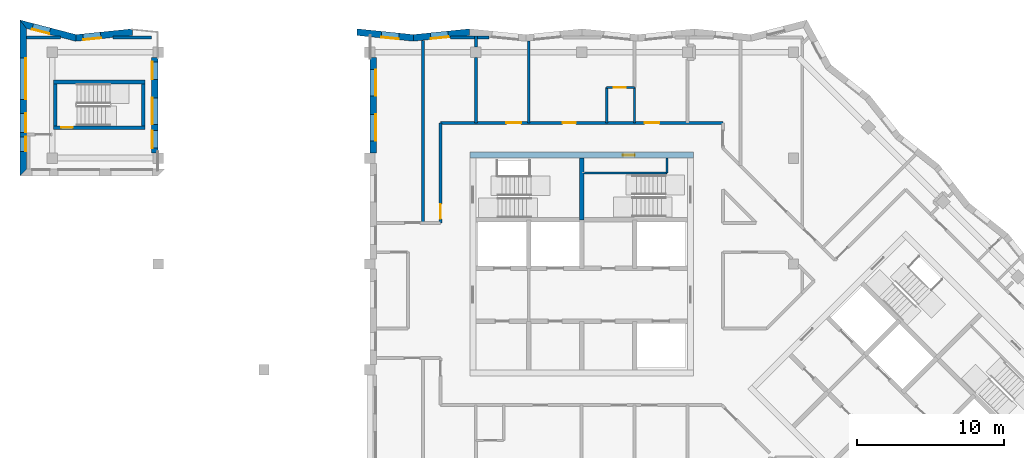
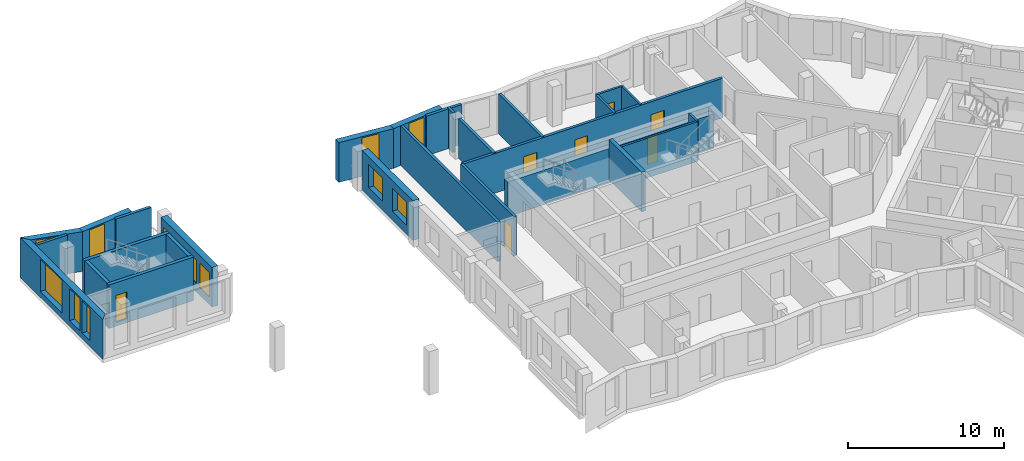
# One storey, part 5 of 12: 27 walls, 12 windows, 7 doors, 19 openings.
"""IFC4 building model written with IfcOpenShell, lengths in metres."""

from ifc_helpers import new_model, si_unit, direction, frame, frame_2d, origin, place, context, subcontext, project, spatial, polyline, rectangle, outline, extrude, material, layer, layer_set, type_object, element, fill, save


model = new_model("IFC4")

# Units and contexts
model_context = context("Model", 3, precision=1e-05, world=origin(), true_north=direction((0.0, 1.0)))
body_context = subcontext(model_context, "Body", "Model", "MODEL_VIEW")
ifc_project = project(units=[si_unit("LENGTHUNIT", "METRE"), si_unit("AREAUNIT", "SQUARE_METRE"), si_unit("VOLUMEUNIT", "CUBIC_METRE"), si_unit("PLANEANGLEUNIT", "RADIAN"), si_unit("MASSUNIT", "GRAM", prefix="KILO")], contexts=[model_context])

# Site, building, storey
site_placement = place(None, origin())
site = spatial("IfcSite", under=ifc_project, at=site_placement, CompositionType="ELEMENT")
building_placement = place(site_placement, origin())
building = spatial("IfcBuilding", under=site, at=building_placement, Name="Windrow Commons", CompositionType="ELEMENT")
storey_placement = place(building_placement, frame((0.0, 0.0, 254.0)))
storey = spatial("IfcBuildingStorey", under=building, at=storey_placement, Name="L69", CompositionType="ELEMENT", Elevation=254.0)

# Wall, opening, window
ifc_material_1 = material(Name="Brick masonry, red clay brick", Category="masonry")
ifc_layer_1 = layer(ifc_material_1, 0.45)
ifc_layer_set_1 = layer_set([ifc_layer_1], Name="Brick facade wall 450")
wall_type_1 = type_object("IfcWallType", Name="Brick facade wall 450", PredefinedType="SOLIDWALL", material=ifc_layer_set_1)
wall_1_placement = place(storey_placement, frame((57.1796, 73.3648, 0.0), z_axis=(0.0, 0.0, 1.0), x_axis=(-0.9948059356, -0.1017897367, 0.0)))
wall_1 = element("IfcWall", 1, at=wall_1_placement, inside=storey, type_object=wall_type_1, Name="Brick facade wall L69 23", PredefinedType="SOLIDWALL", context=body_context, shape_type="SweptSolid", body=[
    extrude(outline(polyline([(-0.023, -0.225), (3.8183, -0.225), (3.8643, 0.225), (0.023, 0.225), (-0.023, -0.225)])), origin(), (0.0, 0.0, 1.0), 3.1),
])
opening_1_placement = place(wall_1_placement, frame((1.4596, 0.0, 0.45)))
opening_1 = element("IfcOpeningElement", 2, at=opening_1_placement, cuts=wall_1, Name="Opening W7F", PredefinedType="OPENING", context=body_context, shape_type="SweptSolid", body=[
    extrude(rectangle(XDim=1.2, YDim=2.55, at=frame_2d((0.6, 1.275))), frame((0.0, 0.235, 0.0), z_axis=(0.0, -1.0, 0.0), x_axis=(1.0, 0.0, 0.0)), (0.0, 0.0, 1.0), 0.47),
])
ifc_material_2 = material(Name="Clear float glass in anodised aluminium frame", Category="aluminium")
window_type_1 = type_object("IfcWindowType", Name="Window W7 notch 1200x2550", PartitioningType="SINGLE_PANEL", PredefinedType="WINDOW", material=ifc_material_2)
window_1_placement = place(opening_1_placement, origin())
window_1 = element("IfcWindow", 3, at=window_1_placement, inside=storey, type_object=window_type_1, Name="Window L69 23.1", OverallHeight=2.55, OverallWidth=1.2, PartitioningType="SINGLE_PANEL", PredefinedType="WINDOW", context=body_context, shape_type="SweptSolid", body=[
    extrude(rectangle(XDim=1.2, YDim=2.55, at=frame_2d((0.6, 1.275))), frame((0.0, 0.205, 0.0), z_axis=(0.0, -1.0, 0.0), x_axis=(1.0, 0.0, 0.0)), (0.0, 0.0, 1.0), 0.06),
])
fill(opening_1, window_1)

wall_2_placement = place(storey_placement, frame((53.3583, 72.9738, 0.0), z_axis=(0.0, 0.0, 1.0), x_axis=(-0.9948059356, 0.1017897367, 0.0)))
wall_2 = element("IfcWall", 4, at=wall_2_placement, inside=storey, type_object=wall_type_1, Name="Brick facade wall L69 24", PredefinedType="SOLIDWALL", context=body_context, shape_type="SweptSolid", body=[
    extrude(outline(polyline([(0.023, -0.225), (3.8643, -0.225), (3.8183, 0.225), (-0.023, 0.225), (0.023, -0.225)])), origin(), (0.0, 0.0, 1.0), 3.1),
])
opening_2_placement = place(wall_2_placement, frame((0.9869, 0.0, 0.45)))
opening_2 = element("IfcOpeningElement", 5, at=opening_2_placement, cuts=wall_2, Name="Opening W7F", PredefinedType="OPENING", context=body_context, shape_type="SweptSolid", body=[
    extrude(rectangle(XDim=1.2, YDim=2.55, at=frame_2d((0.6, 1.275))), frame((0.0, 0.235, 0.0), z_axis=(0.0, -1.0, 0.0), x_axis=(1.0, 0.0, 0.0)), (0.0, 0.0, 1.0), 0.47),
])
window_2_placement = place(opening_2_placement, origin())
window_2 = element("IfcWindow", 6, at=window_2_placement, inside=storey, type_object=window_type_1, Name="Window L69 24.1", OverallHeight=2.55, OverallWidth=1.2, PartitioningType="SINGLE_PANEL", PredefinedType="WINDOW", context=body_context, shape_type="SweptSolid", body=[
    extrude(rectangle(XDim=1.2, YDim=2.55, at=frame_2d((0.6, 1.275))), frame((0.0, 0.205, 0.0), z_axis=(0.0, -1.0, 0.0), x_axis=(1.0, 0.0, 0.0)), (0.0, 0.0, 1.0), 0.06),
])
fill(opening_2, window_2)

wall_3_placement = place(storey_placement, frame((34.2517, 73.3648, 0.0), z_axis=(0.0, 0.0, 1.0), x_axis=(-0.994808045, -0.1017691196, 0.0)))
wall_3 = element("IfcWall", 7, at=wall_3_placement, inside=storey, type_object=wall_type_1, Name="Brick facade wall L69 29", PredefinedType="SOLIDWALL", context=body_context, shape_type="SweptSolid", body=[
    extrude(outline(polyline([(-0.023, -0.225), (3.8183, -0.225), (3.8991, 0.225), (0.023, 0.225), (-0.023, -0.225)])), origin(), (0.0, 0.0, 1.0), 3.1),
])
opening_3_placement = place(wall_3_placement, frame((2.16, 0.0, 0.45)))
opening_3 = element("IfcOpeningElement", 8, at=opening_3_placement, cuts=wall_3, Name="Opening W7F", PredefinedType="OPENING", context=body_context, shape_type="SweptSolid", body=[
    extrude(rectangle(XDim=1.2, YDim=2.55, at=frame_2d((0.6, 1.275))), frame((0.0, 0.235, 0.0), z_axis=(0.0, -1.0, 0.0), x_axis=(1.0, 0.0, 0.0)), (0.0, 0.0, 1.0), 0.47),
])
window_3_placement = place(opening_3_placement, origin())
window_3 = element("IfcWindow", 9, at=window_3_placement, inside=storey, type_object=window_type_1, Name="Window L69 29.2", OverallHeight=2.55, OverallWidth=1.2, PartitioningType="SINGLE_PANEL", PredefinedType="WINDOW", context=body_context, shape_type="SweptSolid", body=[
    extrude(rectangle(XDim=1.2, YDim=2.55, at=frame_2d((0.6, 1.275))), frame((0.0, 0.205, 0.0), z_axis=(0.0, -1.0, 0.0), x_axis=(1.0, 0.0, 0.0)), (0.0, 0.0, 1.0), 0.06),
])
fill(opening_3, window_3)

wall_4_placement = place(storey_placement, frame((30.413, 72.9721, 0.0), z_axis=(0.0, 0.0, 1.0), x_axis=(-0.967983026, 0.2510156598, 0.0)))
wall_4 = element("IfcWall", 10, at=wall_4_placement, inside=storey, type_object=wall_type_1, Name="Brick facade wall L69 30", PredefinedType="SOLIDWALL", context=body_context, shape_type="SweptSolid", body=[
    extrude(outline(polyline([(0.0404, -0.225), (3.9882, -0.225), (3.4066, 0.225), (-0.0404, 0.225), (0.0404, -0.225)])), origin(), (0.0, 0.0, 1.0), 3.1),
])
opening_4_placement = place(wall_4_placement, frame((1.8365, 0.0, 0.45)))
opening_4 = element("IfcOpeningElement", 11, at=opening_4_placement, cuts=wall_4, Name="Opening W7F", PredefinedType="OPENING", context=body_context, shape_type="SweptSolid", body=[
    extrude(rectangle(XDim=1.2, YDim=2.55, at=frame_2d((0.6, 1.275))), frame((0.0, 0.235, 0.0), z_axis=(0.0, -1.0, 0.0), x_axis=(1.0, 0.0, 0.0)), (0.0, 0.0, 1.0), 0.47),
])
window_4_placement = place(opening_4_placement, origin())
window_4 = element("IfcWindow", 12, at=window_4_placement, inside=storey, type_object=window_type_1, Name="Window L69 30.2", OverallHeight=2.55, OverallWidth=1.2, PartitioningType="SINGLE_PANEL", PredefinedType="WINDOW", context=body_context, shape_type="SweptSolid", body=[
    extrude(rectangle(XDim=1.2, YDim=2.55, at=frame_2d((0.6, 1.275))), frame((0.0, 0.205, 0.0), z_axis=(0.0, -1.0, 0.0), x_axis=(1.0, 0.0, 0.0)), (0.0, 0.0, 1.0), 0.06),
])
fill(opening_4, window_4)

# Wall, openings, windows
wall_5_placement = place(storey_placement, frame((26.834, 73.9002, 0.0), z_axis=(0.0, 0.0, 1.0), x_axis=(0.0, -1.0, 0.0)))
wall_5 = element("IfcWall", 13, at=wall_5_placement, inside=storey, type_object=wall_type_1, Name="Brick facade wall L69 31", PredefinedType="SOLIDWALL", context=body_context, shape_type="SweptSolid", body=[
    extrude(outline(polyline([(-0.2908, -0.225), (10.3002, -0.225), (9.8502, 0.225), (0.2908, 0.225), (-0.2908, -0.225)])), origin(), (0.0, 0.0, 1.0), 3.1),
])
opening_5_placement = place(wall_5_placement, frame((2.3002, 0.0, 0.45)))
opening_5 = element("IfcOpeningElement", 14, at=opening_5_placement, cuts=wall_5, Name="Opening W1V", PredefinedType="OPENING", context=body_context, shape_type="SweptSolid", body=[
    extrude(rectangle(XDim=2.8, YDim=2.55, at=frame_2d((1.4, 1.275))), frame((0.0, 0.235, 0.0), z_axis=(0.0, -1.0, 0.0), x_axis=(1.0, 0.0, 0.0)), (0.0, 0.0, 1.0), 0.47),
])
opening_6_placement = place(wall_5_placement, frame((6.0502, 0.0, 0.45)))
opening_6 = element("IfcOpeningElement", 15, at=opening_6_placement, cuts=wall_5, Name="Opening W1Q", PredefinedType="OPENING", context=body_context, shape_type="SweptSolid", body=[
    extrude(rectangle(XDim=1.3, YDim=2.5, at=frame_2d((0.65, 1.25))), frame((0.0, 0.235, 0.0), z_axis=(0.0, -1.0, 0.0), x_axis=(1.0, 0.0, 0.0)), (0.0, 0.0, 1.0), 0.47),
])
opening_7_placement = place(wall_5_placement, frame((7.6502, 0.0, 0.45)))
opening_7 = element("IfcOpeningElement", 16, at=opening_7_placement, cuts=wall_5, Name="Opening W1S", PredefinedType="OPENING", context=body_context, shape_type="SweptSolid", body=[
    extrude(rectangle(XDim=1.0, YDim=2.5, at=frame_2d((0.5, 1.25))), frame((0.0, 0.235, 0.0), z_axis=(0.0, -1.0, 0.0), x_axis=(1.0, 0.0, 0.0)), (0.0, 0.0, 1.0), 0.47),
])
ifc_material_3 = material(Name="Clear float glass in anodised aluminium frame", Category="aluminium")
window_type_2 = type_object("IfcWindowType", Name="Window W1Q pair 1300x2500", PartitioningType="SINGLE_PANEL", PredefinedType="WINDOW", material=ifc_material_3)
window_5_placement = place(opening_6_placement, origin())
window_5 = element("IfcWindow", 17, at=window_5_placement, inside=storey, type_object=window_type_2, Name="Window L69 31.2A", OverallHeight=2.5, OverallWidth=1.3, PartitioningType="SINGLE_PANEL", PredefinedType="WINDOW", context=body_context, shape_type="SweptSolid", body=[
    extrude(rectangle(XDim=1.3, YDim=2.5, at=frame_2d((0.65, 1.25))), frame((0.0, 0.205, 0.0), z_axis=(0.0, -1.0, 0.0), x_axis=(1.0, 0.0, 0.0)), (0.0, 0.0, 1.0), 0.06),
])
fill(opening_6, window_5)
ifc_material_4 = material(Name="Clear float glass in anodised aluminium frame", Category="aluminium")
window_type_3 = type_object("IfcWindowType", Name="Window W1S slit 1000x2500", PartitioningType="SINGLE_PANEL", PredefinedType="WINDOW", material=ifc_material_4)
window_6_placement = place(opening_7_placement, origin())
window_6 = element("IfcWindow", 18, at=window_6_placement, inside=storey, type_object=window_type_3, Name="Window L69 31.2B", OverallHeight=2.5, OverallWidth=1.0, PartitioningType="SINGLE_PANEL", PredefinedType="WINDOW", context=body_context, shape_type="SweptSolid", body=[
    extrude(rectangle(XDim=1.0, YDim=2.5, at=frame_2d((0.5, 1.25))), frame((0.0, 0.205, 0.0), z_axis=(0.0, -1.0, 0.0), x_axis=(1.0, 0.0, 0.0)), (0.0, 0.0, 1.0), 0.06),
])
fill(opening_7, window_6)
ifc_material_5 = material(Name="Clear float glass in anodised aluminium frame", Category="aluminium")
window_type_4 = type_object("IfcWindowType", Name="Window W1V bedroom 2800x2550", PartitioningType="SINGLE_PANEL", PredefinedType="WINDOW", material=ifc_material_5)
window_7_placement = place(opening_5_placement, origin())
window_7 = element("IfcWindow", 19, at=window_7_placement, inside=storey, type_object=window_type_4, Name="Window L69 31.1", OverallHeight=2.55, OverallWidth=2.8, PartitioningType="SINGLE_PANEL", PredefinedType="WINDOW", context=body_context, shape_type="SweptSolid", body=[
    extrude(rectangle(XDim=2.8, YDim=2.55, at=frame_2d((1.4, 1.275))), frame((0.0, 0.205, 0.0), z_axis=(0.0, -1.0, 0.0), x_axis=(1.0, 0.0, 0.0)), (0.0, 0.0, 1.0), 0.06),
])
fill(opening_5, window_7)

wall_6_placement = place(storey_placement, frame((35.775, 65.15, 0.0), z_axis=(0.0, 0.0, 1.0), x_axis=(0.0, 1.0, 0.0)))
wall_6 = element("IfcWall", 20, at=wall_6_placement, inside=storey, type_object=wall_type_1, Name="Brick portal return L69 6", PredefinedType="SOLIDWALL", context=body_context, shape_type="SweptSolid", body=[
    extrude(rectangle(XDim=6.5, YDim=0.45, at=frame_2d((3.25, 0.0))), origin(), (0.0, 0.0, 1.0), 3.1),
])
opening_8_placement = place(wall_6_placement, frame((0.325, 0.0, 0.6)))
opening_8 = element("IfcOpeningElement", 21, at=opening_8_placement, cuts=wall_6, Name="Opening W7G", PredefinedType="OPENING", context=body_context, shape_type="SweptSolid", body=[
    extrude(rectangle(XDim=1.2, YDim=1.9, at=frame_2d((0.6, 0.95))), frame((0.0, 0.235, 0.0), z_axis=(0.0, -1.0, 0.0), x_axis=(1.0, 0.0, 0.0)), (0.0, 0.0, 1.0), 0.47),
])
opening_9_placement = place(wall_6_placement, frame((1.9375, 0.0, 0.7)))
opening_9 = element("IfcOpeningElement", 22, at=opening_9_placement, cuts=wall_6, Name="Opening W8", PredefinedType="OPENING", context=body_context, shape_type="SweptSolid", body=[
    extrude(rectangle(XDim=1.8, YDim=1.8, at=frame_2d((0.9, 0.9))), frame((0.0, 0.235, 0.0), z_axis=(0.0, -1.0, 0.0), x_axis=(1.0, 0.0, 0.0)), (0.0, 0.0, 1.0), 0.47),
])
opening_10_placement = place(wall_6_placement, frame((5.0, 0.0, 0.6)))
opening_10 = element("IfcOpeningElement", 23, at=opening_10_placement, cuts=wall_6, Name="Opening W7G", PredefinedType="OPENING", context=body_context, shape_type="SweptSolid", body=[
    extrude(rectangle(XDim=1.2, YDim=1.9, at=frame_2d((0.6, 0.95))), frame((0.0, 0.235, 0.0), z_axis=(0.0, -1.0, 0.0), x_axis=(1.0, 0.0, 0.0)), (0.0, 0.0, 1.0), 0.47),
])
ifc_material_6 = material(Name="Clear float glass in anodised aluminium frame", Category="aluminium")
window_type_5 = type_object("IfcWindowType", Name="Window W7 notch 1200x1900", PartitioningType="SINGLE_PANEL", PredefinedType="WINDOW", material=ifc_material_6)
window_8_placement = place(opening_8_placement, origin())
window_8 = element("IfcWindow", 24, at=window_8_placement, inside=storey, type_object=window_type_5, Name="Window L69 portal 6.1.1A", OverallHeight=1.9, OverallWidth=1.2, PartitioningType="SINGLE_PANEL", PredefinedType="WINDOW", context=body_context, shape_type="SweptSolid", body=[
    extrude(rectangle(XDim=1.2, YDim=1.9, at=frame_2d((0.6, 0.95))), frame((0.0, 0.205, 0.0), z_axis=(0.0, -1.0, 0.0), x_axis=(1.0, 0.0, 0.0)), (0.0, 0.0, 1.0), 0.06),
])
fill(opening_8, window_8)
window_9_placement = place(opening_10_placement, origin())
window_9 = element("IfcWindow", 25, at=window_9_placement, inside=storey, type_object=window_type_5, Name="Window L69 portal 6.1.2A", OverallHeight=1.9, OverallWidth=1.2, PartitioningType="SINGLE_PANEL", PredefinedType="WINDOW", context=body_context, shape_type="SweptSolid", body=[
    extrude(rectangle(XDim=1.2, YDim=1.9, at=frame_2d((0.6, 0.95))), frame((0.0, 0.205, 0.0), z_axis=(0.0, -1.0, 0.0), x_axis=(1.0, 0.0, 0.0)), (0.0, 0.0, 1.0), 0.06),
])
fill(opening_10, window_9)
ifc_material_7 = material(Name="Clear float glass in anodised aluminium frame", Category="aluminium")
window_type_6 = type_object("IfcWindowType", Name="Window W8 portal 1800x1800", PartitioningType="SINGLE_PANEL", PredefinedType="WINDOW", material=ifc_material_7)
window_10_placement = place(opening_9_placement, origin())
window_10 = element("IfcWindow", 26, at=window_10_placement, inside=storey, type_object=window_type_6, Name="Window L69 portal 6.1.1B", OverallHeight=1.8, OverallWidth=1.8, PartitioningType="SINGLE_PANEL", PredefinedType="WINDOW", context=body_context, shape_type="SweptSolid", body=[
    extrude(rectangle(XDim=1.8, YDim=1.8, at=frame_2d((0.9, 0.9))), frame((0.0, 0.205, 0.0), z_axis=(0.0, -1.0, 0.0), x_axis=(1.0, 0.0, 0.0)), (0.0, 0.0, 1.0), 0.06),
])
fill(opening_9, window_10)

wall_7_placement = place(storey_placement, frame((50.625, 71.65, 0.0), z_axis=(0.0, 0.0, 1.0), x_axis=(0.0, -1.0, 0.0)))
wall_7 = element("IfcWall", 27, at=wall_7_placement, inside=storey, type_object=wall_type_1, Name="Brick portal return L69 12", PredefinedType="SOLIDWALL", context=body_context, shape_type="SweptSolid", body=[
    extrude(rectangle(XDim=6.5, YDim=0.45, at=frame_2d((3.25, 0.0))), origin(), (0.0, 0.0, 1.0), 3.1),
])
opening_11_placement = place(wall_7_placement, frame((0.825, 0.0, 0.7)))
opening_11 = element("IfcOpeningElement", 28, at=opening_11_placement, cuts=wall_7, Name="Opening W8", PredefinedType="OPENING", context=body_context, shape_type="SweptSolid", body=[
    extrude(rectangle(XDim=1.8, YDim=1.8, at=frame_2d((0.9, 0.9))), frame((0.0, 0.235, 0.0), z_axis=(0.0, -1.0, 0.0), x_axis=(1.0, 0.0, 0.0)), (0.0, 0.0, 1.0), 0.47),
])
opening_12_placement = place(wall_7_placement, frame((3.875, 0.0, 0.7)))
opening_12 = element("IfcOpeningElement", 29, at=opening_12_placement, cuts=wall_7, Name="Opening W8", PredefinedType="OPENING", context=body_context, shape_type="SweptSolid", body=[
    extrude(rectangle(XDim=1.8, YDim=1.8, at=frame_2d((0.9, 0.9))), frame((0.0, 0.235, 0.0), z_axis=(0.0, -1.0, 0.0), x_axis=(1.0, 0.0, 0.0)), (0.0, 0.0, 1.0), 0.47),
])
window_11_placement = place(opening_11_placement, origin())
window_11 = element("IfcWindow", 30, at=window_11_placement, inside=storey, type_object=window_type_6, Name="Window L69 portal 12.1.1", OverallHeight=1.8, OverallWidth=1.8, PartitioningType="SINGLE_PANEL", PredefinedType="WINDOW", context=body_context, shape_type="SweptSolid", body=[
    extrude(rectangle(XDim=1.8, YDim=1.8, at=frame_2d((0.9, 0.9))), frame((0.0, 0.205, 0.0), z_axis=(0.0, -1.0, 0.0), x_axis=(1.0, 0.0, 0.0)), (0.0, 0.0, 1.0), 0.06),
])
fill(opening_11, window_11)
window_12_placement = place(opening_12_placement, origin())
window_12 = element("IfcWindow", 31, at=window_12_placement, inside=storey, type_object=window_type_6, Name="Window L69 portal 12.1.2", OverallHeight=1.8, OverallWidth=1.8, PartitioningType="SINGLE_PANEL", PredefinedType="WINDOW", context=body_context, shape_type="SweptSolid", body=[
    extrude(rectangle(XDim=1.8, YDim=1.8, at=frame_2d((0.9, 0.9))), frame((0.0, 0.205, 0.0), z_axis=(0.0, -1.0, 0.0), x_axis=(1.0, 0.0, 0.0)), (0.0, 0.0, 1.0), 0.06),
])
fill(opening_12, window_12)

# Wall, openings, doors
ifc_material_8 = material(Name="Blockwork partition", Category="masonry")
ifc_layer_2 = layer(ifc_material_8, 0.2)
ifc_layer_set_2 = layer_set([ifc_layer_2], Name="IW-CORRIDOR-200")
wall_type_2 = type_object("IfcWallType", Name="IW-CORRIDOR-200", PredefinedType="PARTITIONING", material=ifc_layer_set_2)
wall_8_placement = place(storey_placement, frame((55.2, 67.2, 0.0), z_axis=(0.0, 0.0, 1.0), x_axis=(1.0, 0.0, 0.0)))
wall_8 = element("IfcWall", 32, at=wall_8_placement, inside=storey, type_object=wall_type_2, Name="W-L69-W000", PredefinedType="PARTITIONING", context=body_context, shape_type="SweptSolid", body=[
    extrude(rectangle(XDim=19.2, YDim=0.2, at=frame_2d((9.6, 0.0))), origin(), (0.0, 0.0, 1.0), 3.1),
])
opening_13_placement = place(wall_8_placement, frame((4.475, 0.0, 0.0)))
opening_13 = element("IfcOpeningElement", 33, at=opening_13_placement, cuts=wall_8, Name="Opening D310F", PredefinedType="OPENING", context=body_context, shape_type="SweptSolid", body=[
    extrude(rectangle(XDim=1.0, YDim=2.1, at=frame_2d((0.5, 1.05))), frame((0.0, 0.11, 0.0), z_axis=(0.0, -1.0, 0.0), x_axis=(1.0, 0.0, 0.0)), (0.0, 0.0, 1.0), 0.22),
])
opening_14_placement = place(wall_8_placement, frame((8.3006, 0.0, 0.0)))
opening_14 = element("IfcOpeningElement", 34, at=opening_14_placement, cuts=wall_8, Name="Opening D109F", PredefinedType="OPENING", context=body_context, shape_type="SweptSolid", body=[
    extrude(rectangle(XDim=0.9, YDim=2.1, at=frame_2d((0.45, 1.05))), frame((0.0, 0.11, 0.0), z_axis=(0.0, -1.0, 0.0), x_axis=(1.0, 0.0, 0.0)), (0.0, 0.0, 1.0), 0.22),
])
opening_15_placement = place(wall_8_placement, frame((13.88, 0.0, 0.0)))
opening_15 = element("IfcOpeningElement", 35, at=opening_15_placement, cuts=wall_8, Name="Opening D310F", PredefinedType="OPENING", context=body_context, shape_type="SweptSolid", body=[
    extrude(rectangle(XDim=1.0, YDim=2.1, at=frame_2d((0.5, 1.05))), frame((0.0, 0.11, 0.0), z_axis=(0.0, -1.0, 0.0), x_axis=(1.0, 0.0, 0.0)), (0.0, 0.0, 1.0), 0.22),
])
ifc_material_9 = material(Name="Timber door leaf", Category="wood")
door_type_1 = type_object("IfcDoorType", Name="DT-AMENITY-1000", OperationType="SINGLE_SWING_LEFT", PredefinedType="DOOR", material=ifc_material_9)
door_1_placement = place(opening_13_placement, origin())
door_1 = element("IfcDoor", 36, at=door_1_placement, inside=storey, type_object=door_type_1, Name="D-L69-D011", OperationType="SINGLE_SWING_RIGHT", OverallHeight=2.1, OverallWidth=1.0, PredefinedType="DOOR", context=body_context, shape_type="SweptSolid", body=[
    extrude(rectangle(XDim=1.0, YDim=2.1, at=frame_2d((0.5, 1.05))), frame((0.0, 0.025, 0.0), z_axis=(0.0, -1.0, 0.0), x_axis=(1.0, 0.0, 0.0)), (0.0, 0.0, 1.0), 0.05),
])
fill(opening_13, door_1)
door_2_placement = place(opening_15_placement, origin())
door_2 = element("IfcDoor", 37, at=door_2_placement, inside=storey, type_object=door_type_1, Name="D-L69-D014", OperationType="SINGLE_SWING_LEFT", OverallHeight=2.1, OverallWidth=1.0, PredefinedType="DOOR", context=body_context, shape_type="SweptSolid", body=[
    extrude(rectangle(XDim=1.0, YDim=2.1, at=frame_2d((0.5, 1.05))), frame((0.0, 0.025, 0.0), z_axis=(0.0, -1.0, 0.0), x_axis=(1.0, 0.0, 0.0)), (0.0, 0.0, 1.0), 0.05),
])
fill(opening_15, door_2)
ifc_material_10 = material(Name="Timber door leaf", Category="wood")
door_type_2 = type_object("IfcDoorType", Name="DT-BEDROOM-900", OperationType="SINGLE_SWING_LEFT", PredefinedType="DOOR", material=ifc_material_10)
door_3_placement = place(opening_14_placement, origin())
door_3 = element("IfcDoor", 38, at=door_3_placement, inside=storey, type_object=door_type_2, Name="D-L69-D012", OperationType="SINGLE_SWING_LEFT", OverallHeight=2.1, OverallWidth=0.9, PredefinedType="DOOR", context=body_context, shape_type="SweptSolid", body=[
    extrude(rectangle(XDim=0.9, YDim=2.1, at=frame_2d((0.45, 1.05))), frame((0.0, 0.025, 0.0), z_axis=(0.0, -1.0, 0.0), x_axis=(1.0, 0.0, 0.0)), (0.0, 0.0, 1.0), 0.05),
])
fill(opening_14, door_3)

# Wall, opening, door
wall_9_placement = place(storey_placement, frame((55.2, 60.402, 0.0), z_axis=(0.0, 0.0, 1.0), x_axis=(0.0, 1.0, 0.0)))
wall_9 = element("IfcWall", 39, at=wall_9_placement, inside=storey, type_object=wall_type_2, Name="W-L69-W013", PredefinedType="PARTITIONING", context=body_context, shape_type="SweptSolid", body=[
    extrude(rectangle(XDim=6.798, YDim=0.2, at=frame_2d((3.399, 0.0))), origin(), (0.0, 0.0, 1.0), 3.1),
])
opening_16_placement = place(wall_9_placement, frame((0.2687, 0.0, 0.0)))
opening_16 = element("IfcOpeningElement", 40, at=opening_16_placement, cuts=wall_9, Name="Opening D310F", PredefinedType="OPENING", context=body_context, shape_type="SweptSolid", body=[
    extrude(rectangle(XDim=1.0, YDim=2.1, at=frame_2d((0.5, 1.05))), frame((0.0, 0.11, 0.0), z_axis=(0.0, -1.0, 0.0), x_axis=(1.0, 0.0, 0.0)), (0.0, 0.0, 1.0), 0.22),
])
door_4_placement = place(opening_16_placement, origin())
door_4 = element("IfcDoor", 41, at=door_4_placement, inside=storey, type_object=door_type_1, Name="D-L69-D010", OperationType="SINGLE_SWING_LEFT", OverallHeight=2.1, OverallWidth=1.0, PredefinedType="DOOR", context=body_context, shape_type="SweptSolid", body=[
    extrude(rectangle(XDim=1.0, YDim=2.1, at=frame_2d((0.5, 1.05))), frame((0.0, 0.025, 0.0), z_axis=(0.0, -1.0, 0.0), x_axis=(1.0, 0.0, 0.0)), (0.0, 0.0, 1.0), 0.05),
])
fill(opening_16, door_4)

# Walls
ifc_material_11 = material(Name="Blockwork partition", Category="masonry")
ifc_layer_3 = layer(ifc_material_11, 0.15)
ifc_layer_set_3 = layer_set([ifc_layer_3], Name="IW-ENSUITE-150")
wall_type_3 = type_object("IfcWallType", Name="IW-ENSUITE-150", PredefinedType="PARTITIONING", material=ifc_layer_set_3)
for number, where, z_axis, x_axis, name in (
    (42, (66.5, 67.2, 0.0), (0.0, 0.0, 1.0), (0.0, 1.0, 0.0), "W-L69-W051"),
    (43, (68.4, 67.2, 0.0), (0.0, 0.0, 1.0), (0.0, 1.0, 0.0), "W-L69-W052"),
):
    element("IfcWall", number, at=place(storey_placement, frame(where, z_axis=z_axis, x_axis=x_axis)), inside=storey, type_object=wall_type_3, Name=name, PredefinedType="PARTITIONING", context=body_context, shape_type="SweptSolid", body=[
        extrude(rectangle(XDim=2.4, YDim=0.15, at=frame_2d((1.2, 0.0))), origin(), (0.0, 0.0, 1.0), 3.1),
    ])

# Wall, opening, door
wall_10_placement = place(storey_placement, frame((66.5, 69.6, 0.0), z_axis=(0.0, 0.0, 1.0), x_axis=(1.0, 0.0, 0.0)))
wall_10 = element("IfcWall", 44, at=wall_10_placement, inside=storey, type_object=wall_type_3, Name="W-L69-W067", PredefinedType="PARTITIONING", context=body_context, shape_type="SweptSolid", body=[
    extrude(rectangle(XDim=1.9, YDim=0.15, at=frame_2d((0.95, 0.0))), origin(), (0.0, 0.0, 1.0), 3.1),
])
opening_17_placement = place(wall_10_placement, frame((0.4931, 0.0, 0.0)))
opening_17 = element("IfcOpeningElement", 45, at=opening_17_placement, cuts=wall_10, Name="Opening D208N", PredefinedType="OPENING", context=body_context, shape_type="SweptSolid", body=[
    extrude(rectangle(XDim=0.8, YDim=2.1, at=frame_2d((0.4, 1.05))), frame((0.0, 0.085, 0.0), z_axis=(0.0, -1.0, 0.0), x_axis=(1.0, 0.0, 0.0)), (0.0, 0.0, 1.0), 0.17),
])
ifc_material_12 = material(Name="Timber door leaf", Category="wood")
door_type_3 = type_object("IfcDoorType", Name="DT-ENSUITE-800", OperationType="SINGLE_SWING_LEFT", PredefinedType="DOOR", material=ifc_material_12)
door_5_placement = place(opening_17_placement, origin())
door_5 = element("IfcDoor", 46, at=door_5_placement, inside=storey, type_object=door_type_3, Name="D-L69-D013", OperationType="SINGLE_SWING_RIGHT", OverallHeight=2.1, OverallWidth=0.8, PredefinedType="DOOR", context=body_context, shape_type="SweptSolid", body=[
    extrude(rectangle(XDim=0.8, YDim=2.1, at=frame_2d((0.4, 1.05))), frame((0.0, 0.025, 0.0), z_axis=(0.0, -1.0, 0.0), x_axis=(1.0, 0.0, 0.0)), (0.0, 0.0, 1.0), 0.05),
])
fill(opening_17, door_5)

# Walls
ifc_material_13 = material(Name="Blockwork partition", Category="masonry")
ifc_layer_4 = layer(ifc_material_13, 0.2)
ifc_layer_set_4 = layer_set([ifc_layer_4], Name="IW-PARTY-200")
wall_type_4 = type_object("IfcWallType", Name="IW-PARTY-200", PredefinedType="PARTITIONING", material=ifc_layer_set_4)
wall_11_placement = place(storey_placement, frame((54.0, 60.4, 0.0), z_axis=(0.0, 0.0, 1.0), x_axis=(0.0, 1.0, 0.0)))
element("IfcWall", 47, at=wall_11_placement, inside=storey, type_object=wall_type_4, Name="W-L69-W004", PredefinedType="PARTITIONING", context=body_context, shape_type="SweptSolid", body=[
    extrude(rectangle(XDim=12.4133, YDim=0.2, at=frame_2d((6.2066, 0.0))), origin(), (0.0, 0.0, 1.0), 3.1),
])
wall_12_placement = place(storey_placement, frame((61.2, 67.2, 0.0), z_axis=(0.0, 0.0, 1.0), x_axis=(0.0, 1.0, 0.0)))
element("IfcWall", 48, at=wall_12_placement, inside=storey, type_object=wall_type_4, Name="W-L69-W017", PredefinedType="PARTITIONING", context=body_context, shape_type="SweptSolid", body=[
    extrude(rectangle(XDim=5.568, YDim=0.2, at=frame_2d((2.784, 0.0))), origin(), (0.0, 0.0, 1.0), 3.1),
])
wall_13_placement = place(storey_placement, frame((57.6, 67.2, 0.0), z_axis=(0.0, 0.0, 1.0), x_axis=(0.0, 1.0, 0.0)))
element("IfcWall", 49, at=wall_13_placement, inside=storey, type_object=wall_type_4, Name="W-L69-W024", PredefinedType="PARTITIONING", context=body_context, shape_type="SweptSolid", body=[
    extrude(rectangle(XDim=4.45, YDim=0.2, at=frame_2d((2.225, 0.0))), origin(), (0.0, 0.0, 1.0), 3.1),
])
for number, where, z_axis, x_axis, name in (
    (50, (32.9466, 73.0, 0.0), (0.0, 0.0, 1.0), (1.0, 0.0, 0.0), "W-L69-W042"),
    (51, (55.8746, 73.0, 0.0), (0.0, 0.0, 1.0), (1.0, 0.0, 0.0), "W-L69-W043"),
):
    element("IfcWall", number, at=place(storey_placement, frame(where, z_axis=z_axis, x_axis=x_axis)), inside=storey, type_object=wall_type_4, Name=name, PredefinedType="PARTITIONING", context=body_context, shape_type="SweptSolid", body=[
        extrude(rectangle(XDim=2.6101, YDim=0.2, at=frame_2d((1.3051, 0.0))), origin(), (0.0, 0.0, 1.0), 3.1),
    ])
wall_14_placement = place(storey_placement, frame((27.059, 73.0, 0.0), z_axis=(0.0, 0.0, 1.0), x_axis=(1.0, 0.0, 0.0)))
element("IfcWall", 52, at=wall_14_placement, inside=storey, type_object=wall_type_4, Name="W-L69-W058", PredefinedType="PARTITIONING", context=body_context, shape_type="SweptSolid", body=[
    extrude(rectangle(XDim=2.2999, YDim=0.2, at=frame_2d((1.15, 0.0))), origin(), (0.0, 0.0, 1.0), 3.1),
])
wall_15_placement = place(storey_placement, frame((57.6, 72.35, 0.0), z_axis=(0.0, 0.0, 1.0), x_axis=(0.0, 1.0, 0.0)))
element("IfcWall", 53, at=wall_15_placement, inside=storey, type_object=wall_type_4, Name="W-L69-W084", PredefinedType="PARTITIONING", context=body_context, shape_type="SweptSolid", body=[
    extrude(rectangle(XDim=0.7456, YDim=0.2, at=frame_2d((0.3728, 0.0))), origin(), (0.0, 0.0, 1.0), 3.1),
])

# Wall, opening, door
ifc_material_14 = material(Name="Concrete C40/50", Category="concrete")
ifc_layer_5 = layer(ifc_material_14, 0.4)
ifc_layer_set_5 = layer_set([ifc_layer_5], Name="RC CORE WALL 400 C40/50")
wall_type_5 = type_object("IfcWallType", Name="RC CORE WALL 400 C40/50", PredefinedType="SHEAR", material=ifc_layer_set_5)
wall_16_placement = place(storey_placement, frame((57.2, 65.0, -0.3), z_axis=(0.0, 0.0, 1.0), x_axis=(1.0, 0.0, 0.0)))
wall_16 = element("IfcWall", 54, at=wall_16_placement, inside=storey, type_object=wall_type_5, Name="Core A wall outer-N", PredefinedType="SHEAR", context=body_context, shape_type="SweptSolid", body=[
    extrude(rectangle(XDim=15.2, YDim=0.4, at=frame_2d((7.6, 0.0))), origin(), (0.0, 0.0, 1.0), 2.7),
])
opening_18_placement = place(wall_16_placement, frame((10.4, 0.0, 0.3)))
opening_18 = element("IfcOpeningElement", 55, at=opening_18_placement, cuts=wall_16, Name="Opening D9", PredefinedType="OPENING", context=body_context, shape_type="SweptSolid", body=[
    extrude(rectangle(XDim=0.8, YDim=2.1, at=frame_2d((0.4, 1.05))), frame((0.0, 0.21, 0.0), z_axis=(0.0, -1.0, 0.0), x_axis=(1.0, 0.0, 0.0)), (0.0, 0.0, 1.0), 0.42),
])
ifc_material_15 = material(Name="Steel fire door leaf", Category="steel")
door_type_4 = type_object("IfcDoorType", Name="Riser access door 800", OperationType="SINGLE_SWING_LEFT", PredefinedType="DOOR", material=ifc_material_15)
door_6_placement = place(opening_18_placement, origin())
door_6 = element("IfcDoor", 56, at=door_6_placement, inside=storey, type_object=door_type_4, Name="Riser access door", OperationType="SINGLE_SWING_RIGHT", OverallHeight=2.1, OverallWidth=0.8, PredefinedType="DOOR", context=body_context, shape_type="SweptSolid", body=[
    extrude(rectangle(XDim=0.8, YDim=2.1, at=frame_2d((0.4, 1.05))), frame((0.0, 0.025, 0.0), z_axis=(0.0, -1.0, 0.0), x_axis=(1.0, 0.0, 0.0)), (0.0, 0.0, 1.0), 0.05),
])
fill(opening_18, door_6)

ifc_material_16 = material(Name="Concrete C40/50", Category="concrete")
ifc_layer_6 = layer(ifc_material_16, 0.25)
ifc_layer_set_6 = layer_set([ifc_layer_6], Name="RC SHAFT WALL 250 C40/50")
wall_type_6 = type_object("IfcWallType", Name="RC SHAFT WALL 250 C40/50", PredefinedType="SOLIDWALL", material=ifc_layer_set_6)
wall_17_placement = place(storey_placement, frame((28.875, 66.875, -0.3), z_axis=(0.0, 0.0, 1.0), x_axis=(1.0, 0.0, 0.0)))
wall_17 = element("IfcWall", 57, at=wall_17_placement, inside=storey, type_object=wall_type_6, Name="Stair enclosure wall L69 S", PredefinedType="SOLIDWALL", context=body_context, shape_type="SweptSolid", body=[
    extrude(rectangle(XDim=6.25, YDim=0.25, at=frame_2d((3.125, 0.0))), origin(), (0.0, 0.0, 1.0), 3.4),
])
opening_19_placement = place(wall_17_placement, frame((0.525, 0.0, 0.3)))
opening_19 = element("IfcOpeningElement", 58, at=opening_19_placement, cuts=wall_17, Name="Opening D23", PredefinedType="OPENING", context=body_context, shape_type="SweptSolid", body=[
    extrude(rectangle(XDim=0.8, YDim=2.1, at=frame_2d((0.4, 1.05))), frame((0.0, 0.135, 0.0), z_axis=(0.0, -1.0, 0.0), x_axis=(1.0, 0.0, 0.0)), (0.0, 0.0, 1.0), 0.27),
])
ifc_material_17 = material(Name="Steel fire door leaf", Category="steel")
door_type_5 = type_object("IfcDoorType", Name="Stair door 800", OperationType="SINGLE_SWING_LEFT", PredefinedType="DOOR", material=ifc_material_17)
door_7_placement = place(opening_19_placement, origin())
door_7 = element("IfcDoor", 59, at=door_7_placement, inside=storey, type_object=door_type_5, Name="Stair door", OperationType="SINGLE_SWING_LEFT", OverallHeight=2.1, OverallWidth=0.8, PredefinedType="DOOR", context=body_context, shape_type="SweptSolid", body=[
    extrude(rectangle(XDim=0.8, YDim=2.1, at=frame_2d((0.4, 1.05))), frame((0.0, 0.025, 0.0), z_axis=(0.0, -1.0, 0.0), x_axis=(1.0, 0.0, 0.0)), (0.0, 0.0, 1.0), 0.05),
])
fill(opening_19, door_7)

# Walls
wall_18_placement = place(storey_placement, frame((28.875, 69.975, -0.3), z_axis=(0.0, 0.0, 1.0), x_axis=(1.0, 0.0, 0.0)))
element("IfcWall", 60, at=wall_18_placement, inside=storey, type_object=wall_type_6, Name="Stair enclosure wall L69 N", PredefinedType="SOLIDWALL", context=body_context, shape_type="SweptSolid", body=[
    extrude(rectangle(XDim=6.25, YDim=0.25, at=frame_2d((3.125, 0.0))), origin(), (0.0, 0.0, 1.0), 3.4),
])
for number, where, z_axis, x_axis, name in (
    (61, (29.0, 67.0, -0.3), (0.0, 0.0, 1.0), (0.0, 1.0, 0.0), "Stair enclosure wall L69 W"),
    (62, (35.0, 67.0, -0.3), (0.0, 0.0, 1.0), (0.0, 1.0, 0.0), "Stair enclosure wall L69 E"),
):
    element("IfcWall", number, at=place(storey_placement, frame(where, z_axis=z_axis, x_axis=x_axis)), inside=storey, type_object=wall_type_6, Name=name, PredefinedType="SOLIDWALL", context=body_context, shape_type="SweptSolid", body=[
        extrude(rectangle(XDim=2.85, YDim=0.25, at=frame_2d((1.425, 0.0))), origin(), (0.0, 0.0, 1.0), 3.4),
    ])
ifc_material_18 = material(Name="Concrete C40/50", Category="concrete")
ifc_layer_7 = layer(ifc_material_18, 0.3)
ifc_layer_set_7 = layer_set([ifc_layer_7], Name="RC SHAFT WALL 300 C40/50")
wall_type_7 = type_object("IfcWallType", Name="RC SHAFT WALL 300 C40/50", PredefinedType="SOLIDWALL", material=ifc_layer_set_7)
wall_19_placement = place(storey_placement, frame((64.8, 60.6, 0.0), z_axis=(0.0, 0.0, 1.0), x_axis=(0.0, 1.0, 0.0)))
element("IfcWall", 63, at=wall_19_placement, inside=storey, type_object=wall_type_7, Name="Core A wall stair-mid", PredefinedType="SOLIDWALL", context=body_context, shape_type="SweptSolid", body=[
    extrude(rectangle(XDim=4.2, YDim=0.3, at=frame_2d((2.1, 0.0))), origin(), (0.0, 0.0, 1.0), 3.1),
])
ifc_material_19 = material(Name="Blockwork partition", Category="masonry")
ifc_layer_8 = layer(ifc_material_19, 0.15)
ifc_layer_set_8 = layer_set([ifc_layer_8], Name="Riser partition 150")
wall_type_8 = type_object("IfcWallType", Name="Riser partition 150", PredefinedType="PARTITIONING", material=ifc_layer_set_8)
wall_20_placement = place(storey_placement, frame((64.95, 63.78, 0.0), z_axis=(0.0, 0.0, 1.0), x_axis=(1.0, 0.0, 0.0)))
element("IfcWall", 64, at=wall_20_placement, inside=storey, type_object=wall_type_8, Name="W-core-strip-A-L69", PredefinedType="PARTITIONING", context=body_context, shape_type="SweptSolid", body=[
    extrude(rectangle(XDim=5.65, YDim=0.15, at=frame_2d((2.825, 0.0))), origin(), (0.0, 0.0, 1.0), 3.1),
])
wall_21_placement = place(storey_placement, frame((70.6, 63.78, 0.0), z_axis=(0.0, 0.0, 1.0), x_axis=(0.0, 1.0, 0.0)))
element("IfcWall", 65, at=wall_21_placement, inside=storey, type_object=wall_type_8, Name="W-core-stripx-A-L69-1", PredefinedType="PARTITIONING", context=body_context, shape_type="SweptSolid", body=[
    extrude(rectangle(XDim=1.02, YDim=0.15, at=frame_2d((0.51, 0.0))), origin(), (0.0, 0.0, 1.0), 3.1),
])

save(model, "model.ifc")
